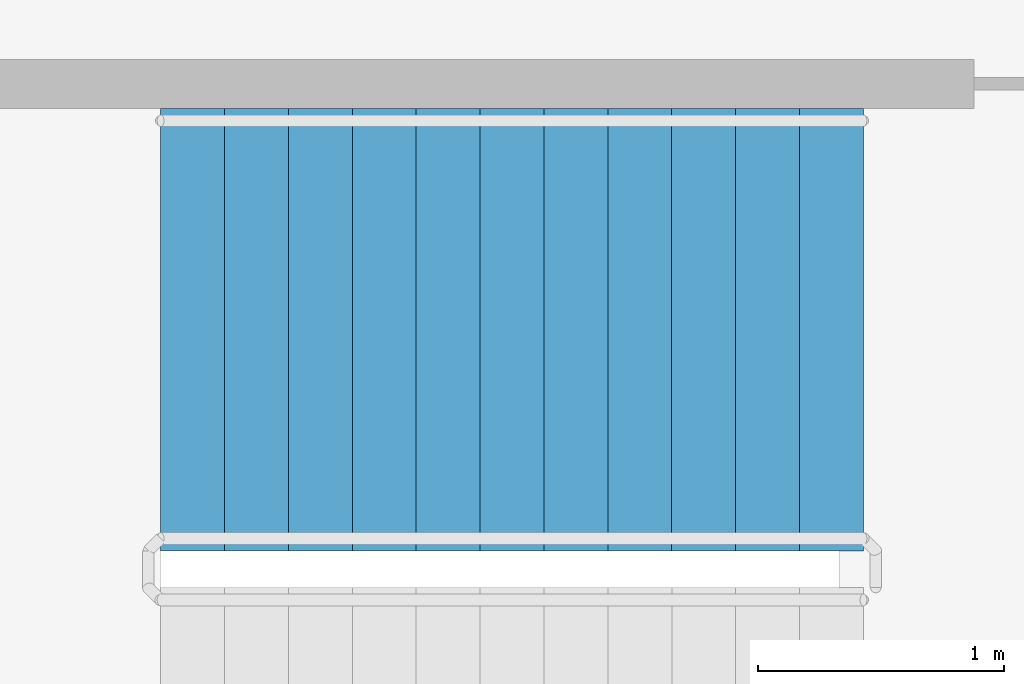
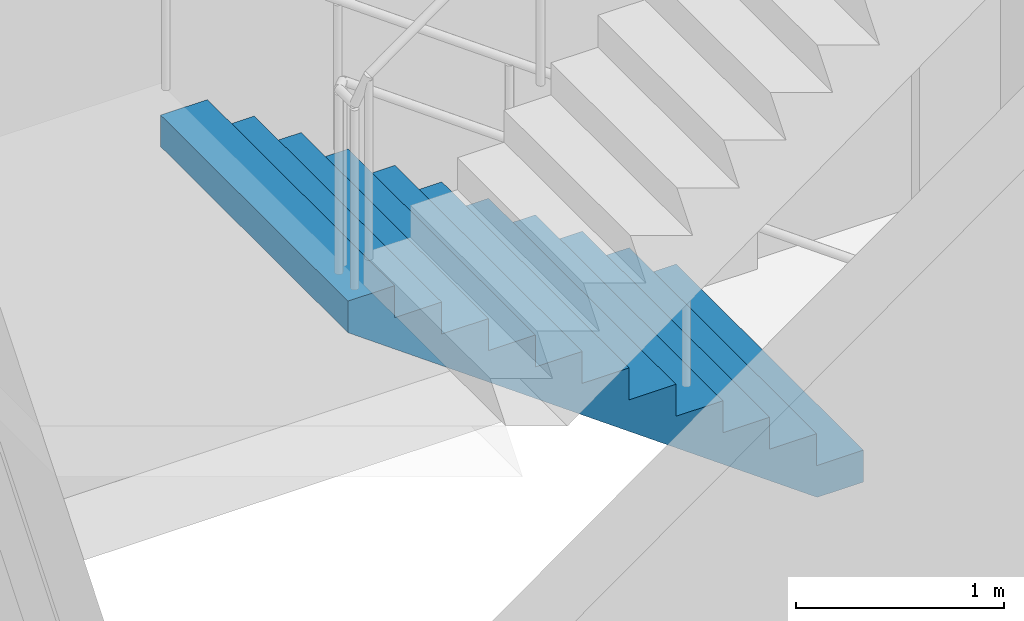
# One storey, part 34 of 51: 1 stair flight, 1 element without a shape of its own.
"""IFC4 building model written with IfcOpenShell, lengths in metres."""

from ifc_helpers import new_model, si_unit, direction, frame, origin, place, context, subcontext, project, spatial, faceted_brep, material, type_object, element, aggregate, save


model = new_model("IFC4")

# Units and contexts
model_context = context("Model", 3, precision=1e-05, world=origin(), true_north=direction((0.0, 1.0)))
body_context = subcontext(model_context, "Body", "Model", "MODEL_VIEW")
ifc_project = project(units=[si_unit("LENGTHUNIT", "METRE"), si_unit("AREAUNIT", "SQUARE_METRE"), si_unit("VOLUMEUNIT", "CUBIC_METRE"), si_unit("PLANEANGLEUNIT", "RADIAN"), si_unit("MASSUNIT", "GRAM", prefix="KILO")], contexts=[model_context])

# Site, building, storey
site_placement = place(None, origin())
site = spatial("IfcSite", under=ifc_project, at=site_placement, CompositionType="ELEMENT")
building_placement = place(site_placement, origin())
building = spatial("IfcBuilding", under=site, at=building_placement, Name="Ipe Terrace Towers", CompositionType="ELEMENT")
storey_placement = place(building_placement, frame((0.0, 0.0, 15.5)))
storey = spatial("IfcBuildingStorey", under=building, at=storey_placement, Name="L03", CompositionType="ELEMENT", Elevation=15.5)

# Stair, stair flight
ifc_material_1 = material(Name="Concrete C30/37", Category="concrete")
stair_type = type_object("IfcStairType", Name="Protected exit stair", PredefinedType="HALF_TURN_STAIR", material=ifc_material_1)
stair_placement = place(storey_placement, origin())
stair = element("IfcStair", 1, at=stair_placement, inside=storey, type_object=stair_type, Name="L03 Podium exit stair PS1", PredefinedType="HALF_TURN_STAIR")
ifc_material_2 = material(Name="Concrete C30/37", Category="concrete")
stair_flight_type = type_object("IfcStairFlightType", Name="Exit stair flight 1800", PredefinedType="STRAIGHT", material=ifc_material_2)
stair_flight_placement = place(storey_placement, frame((-54.27001953125, 25.5, 0.0), z_axis=(0.0, 0.0, 1.0), x_axis=(-1.0, 0.0, 0.0)))
stair_flight = element("IfcStairFlight", 2, at=stair_flight_placement, type_object=stair_flight_type, Name="PS1 flight 1", NumberOfRisers=12, NumberOfTreads=11, PredefinedType="STRAIGHT", RiserHeight=0.1875, TreadLength=0.26, context=body_context, shape_type="Brep", body=[
    faceted_brep([(0.25634765625, -0.89990234375, 0.0), (2.860107421875, -0.89990234375, 1.877685546875), (2.860107421875, -0.89990234375, 2.0625), (2.60009765625, -0.89990234375, 2.0625), (2.60009765625, -0.89990234375, 1.875), (2.340087890625, -0.89990234375, 1.875), (2.340087890625, -0.89990234375, 1.6875), (2.080078125, -0.89990234375, 1.6875), (2.080078125, -0.89990234375, 1.5), (1.820068359375, -0.89990234375, 1.5), (1.820068359375, -0.89990234375, 1.3125), (1.56005859375, -0.89990234375, 1.3125), (1.56005859375, -0.89990234375, 1.125), (1.300048828125, -0.89990234375, 1.125), (1.300048828125, -0.89990234375, 0.9375), (1.0400390625, -0.89990234375, 0.9375), (1.0400390625, -0.89990234375, 0.75), (0.780029296875, -0.89990234375, 0.75), (0.780029296875, -0.89990234375, 0.5625), (0.52001953125, -0.89990234375, 0.5625), (0.52001953125, -0.89990234375, 0.375), (0.260009765625, -0.89990234375, 0.375), (0.260009765625, -0.89990234375, 0.1875), (0.0, -0.89990234375, 0.1875), (0.0, -0.89990234375, 0.0), (0.0, 0.89990234375, 0.0), (0.0, 0.89990234375, 0.1875), (0.260009765625, 0.89990234375, 0.1875), (0.260009765625, 0.89990234375, 0.375), (0.52001953125, 0.89990234375, 0.375), (0.52001953125, 0.89990234375, 0.5625), (0.780029296875, 0.89990234375, 0.5625), (0.780029296875, 0.89990234375, 0.75), (1.0400390625, 0.89990234375, 0.75), (1.0400390625, 0.89990234375, 0.9375), (1.300048828125, 0.89990234375, 0.9375), (1.300048828125, 0.89990234375, 1.125), (1.56005859375, 0.89990234375, 1.125), (1.56005859375, 0.89990234375, 1.3125), (1.820068359375, 0.89990234375, 1.3125), (1.820068359375, 0.89990234375, 1.5), (2.080078125, 0.89990234375, 1.5), (2.080078125, 0.89990234375, 1.6875), (2.340087890625, 0.89990234375, 1.6875), (2.340087890625, 0.89990234375, 1.875), (2.60009765625, 0.89990234375, 1.875), (2.60009765625, 0.89990234375, 2.0625), (2.860107421875, 0.89990234375, 2.0625), (2.860107421875, 0.89990234375, 1.877685546875), (0.25634765625, 0.89990234375, 0.0), (0.0, -0.300048828125, 0.1875), (0.0, -0.1201171875, 0.1875), (0.0, -0.06005859375, 0.1875), (0.0, -0.030029296875, 0.1875), (0.0, -0.010009765625, 0.1875), (0.0, 0.0, 0.1875), (0.0, 0.010009765625, 0.1875), (0.0, 0.030029296875, 0.1875), (0.0, 0.06005859375, 0.1875), (0.0, 0.1201171875, 0.1875), (0.0, 0.300048828125, 0.1875), (0.0, 0.300048828125, 0.0), (0.0, 0.1201171875, 0.0), (0.0, 0.06005859375, 0.0), (0.0, 0.030029296875, 0.0), (0.0, 0.010009765625, 0.0), (0.0, 0.0, 0.0), (0.0, -0.010009765625, 0.0), (0.0, -0.030029296875, 0.0), (0.0, -0.06005859375, 0.0), (0.0, -0.1201171875, 0.0), (0.0, -0.300048828125, 0.0), (0.260009765625, -0.300048828125, 0.1875), (0.260009765625, -0.1201171875, 0.1875), (0.260009765625, -0.06005859375, 0.1875), (0.260009765625, -0.030029296875, 0.1875), (0.260009765625, -0.010009765625, 0.1875), (0.260009765625, 0.0, 0.1875), (0.260009765625, 0.010009765625, 0.1875), (0.260009765625, 0.030029296875, 0.1875), (0.260009765625, 0.06005859375, 0.1875), (0.260009765625, 0.1201171875, 0.1875), (0.260009765625, 0.300048828125, 0.1875), (0.260009765625, -0.300048828125, 0.375), (0.260009765625, -0.1201171875, 0.375), (0.260009765625, -0.06005859375, 0.375), (0.260009765625, -0.030029296875, 0.375), (0.260009765625, -0.010009765625, 0.375), (0.260009765625, 0.0, 0.375), (0.260009765625, 0.010009765625, 0.375), (0.260009765625, 0.030029296875, 0.375), (0.260009765625, 0.06005859375, 0.375), (0.260009765625, 0.1201171875, 0.375), (0.260009765625, 0.300048828125, 0.375), (0.52001953125, -0.300048828125, 0.375), (0.52001953125, -0.1201171875, 0.375), (0.52001953125, -0.06005859375, 0.375), (0.52001953125, -0.030029296875, 0.375), (0.52001953125, -0.010009765625, 0.375), (0.52001953125, 0.0, 0.375), (0.52001953125, 0.010009765625, 0.375), (0.52001953125, 0.030029296875, 0.375), (0.52001953125, 0.06005859375, 0.375), (0.52001953125, 0.1201171875, 0.375), (0.52001953125, 0.300048828125, 0.375), (0.52001953125, -0.300048828125, 0.5625), (0.52001953125, -0.1201171875, 0.5625), (0.52001953125, -0.06005859375, 0.5625), (0.52001953125, -0.030029296875, 0.5625), (0.52001953125, -0.010009765625, 0.5625), (0.52001953125, 0.0, 0.5625), (0.52001953125, 0.010009765625, 0.5625), (0.52001953125, 0.030029296875, 0.5625), (0.52001953125, 0.06005859375, 0.5625), (0.52001953125, 0.1201171875, 0.5625), (0.52001953125, 0.300048828125, 0.5625), (0.780029296875, -0.300048828125, 0.5625), (0.780029296875, -0.1201171875, 0.5625), (0.780029296875, -0.06005859375, 0.5625), (0.780029296875, -0.030029296875, 0.5625), (0.780029296875, -0.010009765625, 0.5625), (0.780029296875, 0.0, 0.5625), (0.780029296875, 0.010009765625, 0.5625), (0.780029296875, 0.030029296875, 0.5625), (0.780029296875, 0.06005859375, 0.5625), (0.780029296875, 0.1201171875, 0.5625), (0.780029296875, 0.300048828125, 0.5625), (0.780029296875, -0.300048828125, 0.75), (0.780029296875, -0.1201171875, 0.75), (0.780029296875, -0.06005859375, 0.75), (0.780029296875, -0.030029296875, 0.75), (0.780029296875, -0.010009765625, 0.75), (0.780029296875, 0.0, 0.75), (0.780029296875, 0.010009765625, 0.75), (0.780029296875, 0.030029296875, 0.75), (0.780029296875, 0.06005859375, 0.75), (0.780029296875, 0.1201171875, 0.75), (0.780029296875, 0.300048828125, 0.75), (1.0400390625, -0.300048828125, 0.75), (1.0400390625, -0.1201171875, 0.75), (1.0400390625, -0.06005859375, 0.75), (1.0400390625, -0.030029296875, 0.75), (1.0400390625, -0.010009765625, 0.75), (1.0400390625, 0.0, 0.75), (1.0400390625, 0.010009765625, 0.75), (1.0400390625, 0.030029296875, 0.75), (1.0400390625, 0.06005859375, 0.75), (1.0400390625, 0.1201171875, 0.75), (1.0400390625, 0.300048828125, 0.75), (1.0400390625, -0.300048828125, 0.9375), (1.0400390625, -0.1201171875, 0.9375), (1.0400390625, -0.06005859375, 0.9375), (1.0400390625, -0.030029296875, 0.9375), (1.0400390625, -0.010009765625, 0.9375), (1.0400390625, 0.0, 0.9375), (1.0400390625, 0.010009765625, 0.9375), (1.0400390625, 0.030029296875, 0.9375), (1.0400390625, 0.06005859375, 0.9375), (1.0400390625, 0.1201171875, 0.9375), (1.0400390625, 0.300048828125, 0.9375), (1.300048828125, -0.300048828125, 0.9375), (1.300048828125, -0.1201171875, 0.9375), (1.300048828125, -0.06005859375, 0.9375), (1.300048828125, -0.030029296875, 0.9375), (1.300048828125, -0.010009765625, 0.9375), (1.300048828125, 0.0, 0.9375), (1.300048828125, 0.010009765625, 0.9375), (1.300048828125, 0.030029296875, 0.9375), (1.300048828125, 0.06005859375, 0.9375), (1.300048828125, 0.1201171875, 0.9375), (1.300048828125, 0.300048828125, 0.9375), (1.300048828125, -0.300048828125, 1.125), (1.300048828125, -0.1201171875, 1.125), (1.300048828125, -0.06005859375, 1.125), (1.300048828125, -0.030029296875, 1.125), (1.300048828125, -0.010009765625, 1.125), (1.300048828125, 0.0, 1.125), (1.300048828125, 0.010009765625, 1.125), (1.300048828125, 0.030029296875, 1.125), (1.300048828125, 0.06005859375, 1.125), (1.300048828125, 0.1201171875, 1.125), (1.300048828125, 0.300048828125, 1.125), (1.56005859375, -0.300048828125, 1.125), (1.56005859375, -0.1201171875, 1.125), (1.56005859375, -0.06005859375, 1.125), (1.56005859375, -0.030029296875, 1.125), (1.56005859375, -0.010009765625, 1.125), (1.56005859375, 0.0, 1.125), (1.56005859375, 0.010009765625, 1.125), (1.56005859375, 0.030029296875, 1.125), (1.56005859375, 0.06005859375, 1.125), (1.56005859375, 0.1201171875, 1.125), (1.56005859375, 0.300048828125, 1.125), (1.56005859375, -0.300048828125, 1.3125), (1.56005859375, -0.1201171875, 1.3125), (1.56005859375, -0.06005859375, 1.3125), (1.56005859375, -0.030029296875, 1.3125), (1.56005859375, -0.010009765625, 1.3125), (1.56005859375, 0.0, 1.3125), (1.56005859375, 0.010009765625, 1.3125), (1.56005859375, 0.030029296875, 1.3125), (1.56005859375, 0.06005859375, 1.3125), (1.56005859375, 0.1201171875, 1.3125), (1.56005859375, 0.300048828125, 1.3125), (1.820068359375, -0.300048828125, 1.3125), (1.820068359375, -0.1201171875, 1.3125), (1.820068359375, -0.06005859375, 1.3125), (1.820068359375, -0.030029296875, 1.3125), (1.820068359375, -0.010009765625, 1.3125), (1.820068359375, 0.0, 1.3125), (1.820068359375, 0.010009765625, 1.3125), (1.820068359375, 0.030029296875, 1.3125), (1.820068359375, 0.06005859375, 1.3125), (1.820068359375, 0.1201171875, 1.3125), (1.820068359375, 0.300048828125, 1.3125), (1.820068359375, -0.300048828125, 1.5), (1.820068359375, -0.1201171875, 1.5), (1.820068359375, -0.06005859375, 1.5), (1.820068359375, -0.030029296875, 1.5), (1.820068359375, -0.010009765625, 1.5), (1.820068359375, 0.0, 1.5), (1.820068359375, 0.010009765625, 1.5), (1.820068359375, 0.030029296875, 1.5), (1.820068359375, 0.06005859375, 1.5), (1.820068359375, 0.1201171875, 1.5), (1.820068359375, 0.300048828125, 1.5), (2.080078125, -0.300048828125, 1.5), (2.080078125, -0.1201171875, 1.5), (2.080078125, -0.06005859375, 1.5), (2.080078125, -0.030029296875, 1.5), (2.080078125, -0.010009765625, 1.5), (2.080078125, 0.0, 1.5), (2.080078125, 0.010009765625, 1.5), (2.080078125, 0.030029296875, 1.5), (2.080078125, 0.06005859375, 1.5), (2.080078125, 0.1201171875, 1.5), (2.080078125, 0.300048828125, 1.5), (2.080078125, -0.300048828125, 1.6875), (2.080078125, -0.1201171875, 1.6875), (2.080078125, -0.06005859375, 1.6875), (2.080078125, -0.030029296875, 1.6875), (2.080078125, -0.010009765625, 1.6875), (2.080078125, 0.0, 1.6875), (2.080078125, 0.010009765625, 1.6875), (2.080078125, 0.030029296875, 1.6875), (2.080078125, 0.06005859375, 1.6875), (2.080078125, 0.1201171875, 1.6875), (2.080078125, 0.300048828125, 1.6875), (2.340087890625, -0.300048828125, 1.6875), (2.340087890625, -0.1201171875, 1.6875), (2.340087890625, -0.06005859375, 1.6875), (2.340087890625, -0.030029296875, 1.6875), (2.340087890625, -0.010009765625, 1.6875), (2.340087890625, 0.0, 1.6875), (2.340087890625, 0.010009765625, 1.6875), (2.340087890625, 0.030029296875, 1.6875), (2.340087890625, 0.06005859375, 1.6875), (2.340087890625, 0.1201171875, 1.6875), (2.340087890625, 0.300048828125, 1.6875), (2.340087890625, -0.300048828125, 1.875), (2.340087890625, -0.1201171875, 1.875), (2.340087890625, -0.06005859375, 1.875), (2.340087890625, -0.030029296875, 1.875), (2.340087890625, -0.010009765625, 1.875), (2.340087890625, 0.0, 1.875), (2.340087890625, 0.010009765625, 1.875), (2.340087890625, 0.030029296875, 1.875), (2.340087890625, 0.06005859375, 1.875), (2.340087890625, 0.1201171875, 1.875), (2.340087890625, 0.300048828125, 1.875), (2.60009765625, -0.300048828125, 1.875), (2.60009765625, -0.1201171875, 1.875), (2.60009765625, -0.06005859375, 1.875), (2.60009765625, -0.030029296875, 1.875), (2.60009765625, -0.010009765625, 1.875), (2.60009765625, 0.0, 1.875), (2.60009765625, 0.010009765625, 1.875), (2.60009765625, 0.030029296875, 1.875), (2.60009765625, 0.06005859375, 1.875), (2.60009765625, 0.1201171875, 1.875), (2.60009765625, 0.300048828125, 1.875), (2.60009765625, -0.300048828125, 2.0625), (2.60009765625, -0.1201171875, 2.0625), (2.60009765625, -0.06005859375, 2.0625), (2.60009765625, -0.030029296875, 2.0625), (2.60009765625, -0.010009765625, 2.0625), (2.60009765625, 0.0, 2.0625), (2.60009765625, 0.010009765625, 2.0625), (2.60009765625, 0.030029296875, 2.0625), (2.60009765625, 0.06005859375, 2.0625), (2.60009765625, 0.1201171875, 2.0625), (2.60009765625, 0.300048828125, 2.0625), (2.860107421875, -0.300048828125, 2.0625), (2.860107421875, -0.1201171875, 2.0625), (2.860107421875, -0.06005859375, 2.0625), (2.860107421875, -0.030029296875, 2.0625), (2.860107421875, -0.010009765625, 2.0625), (2.860107421875, 0.0, 2.0625), (2.860107421875, 0.010009765625, 2.0625), (2.860107421875, 0.030029296875, 2.0625), (2.860107421875, 0.06005859375, 2.0625), (2.860107421875, 0.1201171875, 2.0625), (2.860107421875, 0.300048828125, 2.0625), (2.860107421875, -0.300048828125, 1.877685546875), (2.860107421875, -0.1201171875, 1.877685546875), (2.860107421875, -0.06005859375, 1.877685546875), (2.860107421875, -0.030029296875, 1.877685546875), (2.860107421875, -0.010009765625, 1.877685546875), (2.860107421875, 0.0, 1.877685546875), (2.860107421875, 0.010009765625, 1.877685546875), (2.860107421875, 0.030029296875, 1.877685546875), (2.860107421875, 0.06005859375, 1.877685546875), (2.860107421875, 0.1201171875, 1.877685546875), (2.860107421875, 0.300048828125, 1.877685546875), (0.25634765625, -0.300048828125, 0.0), (0.25634765625, -0.1201171875, 0.0), (0.25634765625, -0.06005859375, 0.0), (0.25634765625, -0.030029296875, 0.0), (0.25634765625, -0.010009765625, 0.0), (0.25634765625, 0.0, 0.0), (0.25634765625, 0.010009765625, 0.0), (0.25634765625, 0.030029296875, 0.0), (0.25634765625, 0.06005859375, 0.0), (0.25634765625, 0.1201171875, 0.0), (0.25634765625, 0.300048828125, 0.0)], [[[0, 1, 2, 3, 4, 5, 6, 7, 8, 9, 10, 11, 12, 13, 14, 15, 16, 17, 18, 19, 20, 21, 22, 23, 24]], [[25, 26, 27, 28, 29, 30, 31, 32, 33, 34, 35, 36, 37, 38, 39, 40, 41, 42, 43, 44, 45, 46, 47, 48, 49]], [[23, 50, 51, 52, 53, 54, 55, 56, 57, 58, 59, 60, 26, 25, 61, 62, 63, 64, 65, 66, 67, 68, 69, 70, 71, 24]], [[22, 72, 73, 74, 75, 76, 77, 78, 79, 80, 81, 82, 27, 26, 60, 59, 58, 57, 56, 55, 54, 53, 52, 51, 50, 23]], [[21, 83, 84, 85, 86, 87, 88, 89, 90, 91, 92, 93, 28, 27, 82, 81, 80, 79, 78, 77, 76, 75, 74, 73, 72, 22]], [[20, 94, 95, 96, 97, 98, 99, 100, 101, 102, 103, 104, 29, 28, 93, 92, 91, 90, 89, 88, 87, 86, 85, 84, 83, 21]], [[19, 105, 106, 107, 108, 109, 110, 111, 112, 113, 114, 115, 30, 29, 104, 103, 102, 101, 100, 99, 98, 97, 96, 95, 94, 20]], [[18, 116, 117, 118, 119, 120, 121, 122, 123, 124, 125, 126, 31, 30, 115, 114, 113, 112, 111, 110, 109, 108, 107, 106, 105, 19]], [[17, 127, 128, 129, 130, 131, 132, 133, 134, 135, 136, 137, 32, 31, 126, 125, 124, 123, 122, 121, 120, 119, 118, 117, 116, 18]], [[16, 138, 139, 140, 141, 142, 143, 144, 145, 146, 147, 148, 33, 32, 137, 136, 135, 134, 133, 132, 131, 130, 129, 128, 127, 17]], [[15, 149, 150, 151, 152, 153, 154, 155, 156, 157, 158, 159, 34, 33, 148, 147, 146, 145, 144, 143, 142, 141, 140, 139, 138, 16]], [[14, 160, 161, 162, 163, 164, 165, 166, 167, 168, 169, 170, 35, 34, 159, 158, 157, 156, 155, 154, 153, 152, 151, 150, 149, 15]], [[13, 171, 172, 173, 174, 175, 176, 177, 178, 179, 180, 181, 36, 35, 170, 169, 168, 167, 166, 165, 164, 163, 162, 161, 160, 14]], [[12, 182, 183, 184, 185, 186, 187, 188, 189, 190, 191, 192, 37, 36, 181, 180, 179, 178, 177, 176, 175, 174, 173, 172, 171, 13]], [[11, 193, 194, 195, 196, 197, 198, 199, 200, 201, 202, 203, 38, 37, 192, 191, 190, 189, 188, 187, 186, 185, 184, 183, 182, 12]], [[10, 204, 205, 206, 207, 208, 209, 210, 211, 212, 213, 214, 39, 38, 203, 202, 201, 200, 199, 198, 197, 196, 195, 194, 193, 11]], [[9, 215, 216, 217, 218, 219, 220, 221, 222, 223, 224, 225, 40, 39, 214, 213, 212, 211, 210, 209, 208, 207, 206, 205, 204, 10]], [[8, 226, 227, 228, 229, 230, 231, 232, 233, 234, 235, 236, 41, 40, 225, 224, 223, 222, 221, 220, 219, 218, 217, 216, 215, 9]], [[7, 237, 238, 239, 240, 241, 242, 243, 244, 245, 246, 247, 42, 41, 236, 235, 234, 233, 232, 231, 230, 229, 228, 227, 226, 8]], [[6, 248, 249, 250, 251, 252, 253, 254, 255, 256, 257, 258, 43, 42, 247, 246, 245, 244, 243, 242, 241, 240, 239, 238, 237, 7]], [[5, 259, 260, 261, 262, 263, 264, 265, 266, 267, 268, 269, 44, 43, 258, 257, 256, 255, 254, 253, 252, 251, 250, 249, 248, 6]], [[4, 270, 271, 272, 273, 274, 275, 276, 277, 278, 279, 280, 45, 44, 269, 268, 267, 266, 265, 264, 263, 262, 261, 260, 259, 5]], [[3, 281, 282, 283, 284, 285, 286, 287, 288, 289, 290, 291, 46, 45, 280, 279, 278, 277, 276, 275, 274, 273, 272, 271, 270, 4]], [[2, 292, 293, 294, 295, 296, 297, 298, 299, 300, 301, 302, 47, 46, 291, 290, 289, 288, 287, 286, 285, 284, 283, 282, 281, 3]], [[1, 303, 304, 305, 306, 307, 308, 309, 310, 311, 312, 313, 48, 47, 302, 301, 300, 299, 298, 297, 296, 295, 294, 293, 292, 2]], [[0, 314, 315, 316, 317, 318, 319, 320, 321, 322, 323, 324, 49, 48, 313, 312, 311, 310, 309, 308, 307, 306, 305, 304, 303, 1]], [[24, 71, 70, 69, 68, 67, 66, 65, 64, 63, 62, 61, 25, 49, 324, 323, 322, 321, 320, 319, 318, 317, 316, 315, 314, 0]]]),
])
aggregate(stair, [stair_flight])

save(model, "model.ifc")
